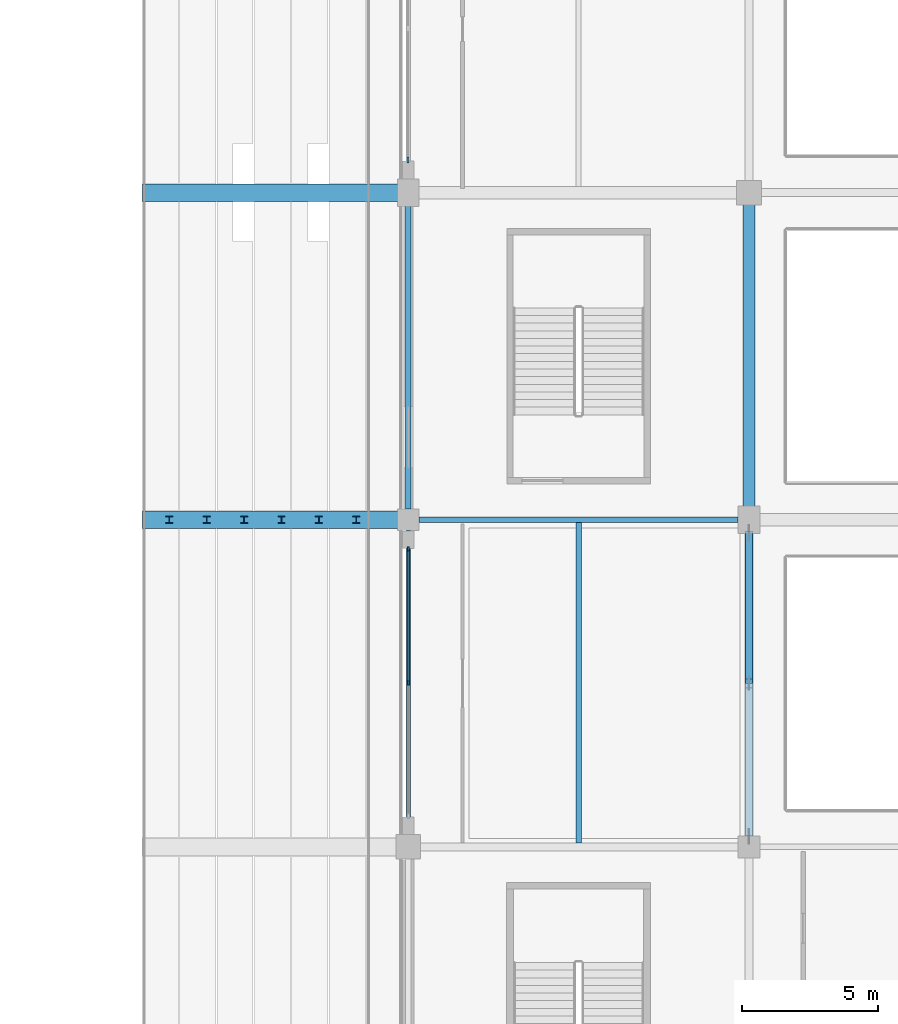
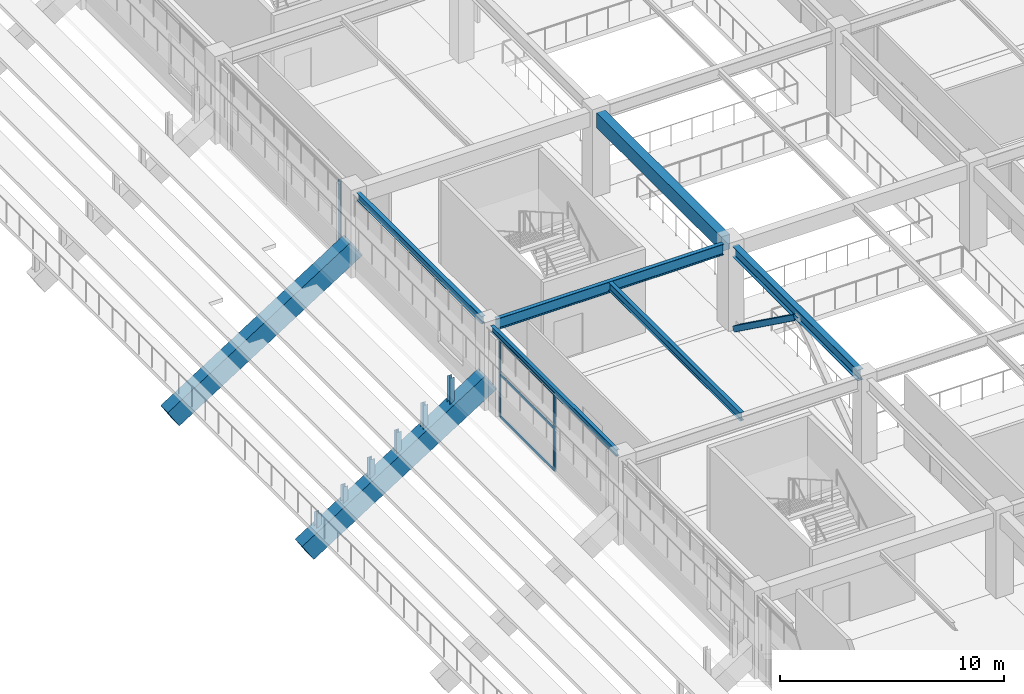
# One storey, part 40 of 134: 13 members, 8 beams, 2 elements without a shape of their own.
"""IFC4 building model written with IfcOpenShell, lengths in metres."""

import ifcopenshell
import ifcopenshell.guid

model = None  # the IFC model being written
_history = None  # IfcOwnerHistory: only IFC2X3 demands one
_inside = {}  # id of a spatial element -> (the spatial element, [elements in it])
_under = {}  # id of a project, library or spatial element -> (it, [spatial elements below it])
_declared = {}  # id of a project -> (the project, [libraries it declares])
_typed = {}  # id of a type object -> (the type object, [elements of that type])
_made_of = {}  # id of a material, layer set ... -> (it, [elements and type objects made of it])


def new_model(schema):
    """Start an empty IFC model of exactly this schema.

    Asked for "IFC4X3", IfcOpenShell would pick the latest addendum, in which some entities
    have other attributes; the version numbers below select the first issue.
    IFC2X3 requires an IfcOwnerHistory on every rooted entity: one is made here for all.
    """
    global model, _history
    if schema == "IFC4X3":
        model = ifcopenshell.file(schema_version=(4, 3, 0, 0))
    else:
        model = ifcopenshell.file(schema=schema)
    _inside.clear()
    _under.clear()
    _declared.clear()
    _typed.clear()
    _made_of.clear()
    _history = None
    if model.schema == "IFC2X3":
        org = make("IfcOrganization", Name="unknown")
        user = make(
            "IfcPersonAndOrganization",
            ThePerson=make("IfcPerson", FamilyName="unknown"),
            TheOrganization=org,
        )
        app = make(
            "IfcApplication",
            ApplicationDeveloper=org,
            Version="unknown",
            ApplicationFullName="unknown",
            ApplicationIdentifier="unknown",
        )
        _history = make(
            "IfcOwnerHistory",
            OwningUser=user,
            OwningApplication=app,
            ChangeAction="ADDED",
            CreationDate=0,
        )
    return model


def make(cls, **values):
    """One entity of the class cls with the attributes given. An attribute that is None is left unset."""
    return model.create_entity(
        cls, **{name: value for name, value in values.items() if value is not None}
    )


def rooted(cls, **values):
    """An entity with a GlobalId (a new one), such as an element, a storey or a relation."""
    return make(cls, GlobalId=ifcopenshell.guid.new(), OwnerHistory=_history, **values)


def si_unit(unit_type, name, prefix=None):
    """IfcSIUnit, for example si_unit("LENGTHUNIT", "METRE", prefix="MILLI")."""
    return make("IfcSIUnit", UnitType=unit_type, Prefix=prefix, Name=name)


def assignment(units):
    """IfcUnitAssignment: the units of a project."""
    return None if units is None else make("IfcUnitAssignment", Units=units)


def point(xyz):
    """IfcCartesianPoint."""
    return None if xyz is None else make("IfcCartesianPoint", Coordinates=xyz)


def direction(xyz):
    """IfcDirection."""
    return None if xyz is None else make("IfcDirection", DirectionRatios=xyz)


def frame(location, z_axis=None, x_axis=None):
    """IfcAxis2Placement3D, a coordinate frame: its origin and axes. An axis left out is left unset."""
    return make(
        "IfcAxis2Placement3D",
        Location=point(location),
        Axis=direction(z_axis),
        RefDirection=direction(x_axis),
    )


def frame_2d(location, x_axis=None):
    """IfcAxis2Placement2D, a coordinate frame in the plane: its origin and x axis."""
    return make(
        "IfcAxis2Placement2D", Location=point(location), RefDirection=direction(x_axis)
    )


def origin():
    """The frame at (0, 0, 0) with its axes left unset."""
    return frame((0.0, 0.0, 0.0))


def origin_2d():
    """The frame at (0, 0) in the plane with its x axis left unset."""
    return frame_2d((0.0, 0.0))


def place(relative_to, where):
    """IfcLocalPlacement: puts the frame where relative to a parent placement (None: the world)."""
    return make(
        "IfcLocalPlacement", PlacementRelTo=relative_to, RelativePlacement=where
    )


def context(
    kind, dimensions, precision=None, world=None, true_north=None, identifier=None
):
    """IfcGeometricRepresentationContext, for example the 3D "Model" context."""
    return make(
        "IfcGeometricRepresentationContext",
        ContextIdentifier=identifier,
        ContextType=kind,
        CoordinateSpaceDimension=dimensions,
        Precision=precision,
        WorldCoordinateSystem=world,
        TrueNorth=true_north,
    )


def subcontext(parent, identifier, kind, view, scale=None):
    """IfcGeometricRepresentationSubContext, for example "Body" below "Model"."""
    return make(
        "IfcGeometricRepresentationSubContext",
        ContextIdentifier=identifier,
        ContextType=kind,
        ParentContext=parent,
        TargetScale=scale,
        TargetView=view,
    )


def project(units=None, contexts=None):
    """IfcProject with its units and contexts."""
    return rooted(
        "IfcProject",
        Name="project",
        RepresentationContexts=contexts,
        UnitsInContext=assignment(units),
    )


def spatial(cls, under=None, at=None, **own):
    """A site, building, storey or space (cls), placed at a placement, below another one or the project."""
    s = rooted(cls, ObjectPlacement=at, **own)
    if under is not None:
        _under.setdefault(under.id(), (under, []))[1].append(s)
    return s


def profile(cls, at=None, kind="AREA", **sizes):
    """A parametric profile (cls). Its sizes go by their IFC names, for example OverallWidth=200.0."""
    return make(cls, ProfileType=kind, Position=at, **sizes)


def rectangle(**sizes):
    """IfcRectangleProfileDef."""
    return profile("IfcRectangleProfileDef", **sizes)


def hollow_rectangle(**sizes):
    """IfcRectangleHollowProfileDef."""
    return profile("IfcRectangleHollowProfileDef", **sizes)


def i_section(**sizes):
    """IfcIShapeProfileDef."""
    return profile("IfcIShapeProfileDef", **sizes)


def extrude(swept, where, along, depth):
    """IfcExtrudedAreaSolid: the profile swept, set in the frame where, extruded along a direction by depth."""
    return make(
        "IfcExtrudedAreaSolid",
        SweptArea=swept,
        Position=where,
        ExtrudedDirection=direction(along),
        Depth=depth,
    )


def shape(context_of_items, identifier, shape_type, items):
    """IfcShapeRepresentation: the items that make up one representation, for example the "Body"."""
    return make(
        "IfcShapeRepresentation",
        ContextOfItems=context_of_items,
        RepresentationIdentifier=identifier,
        RepresentationType=shape_type,
        Items=items,
    )


def material(Name=None, Category=None):
    """IfcMaterial."""
    return make("IfcMaterial", Name=Name, Category=Category)


def layer(
    of_material, thickness, ventilated=None, Name=None, Category=None, Priority=None
):
    """IfcMaterialLayer: one layer of a wall or slab, of a material (None: an air gap)."""
    return make(
        "IfcMaterialLayer",
        Material=of_material,
        LayerThickness=thickness,
        IsVentilated=ventilated,
        Name=Name,
        Category=Category,
        Priority=Priority,
    )


def layer_set(layers, Name=None):
    """IfcMaterialLayerSet."""
    return make("IfcMaterialLayerSet", MaterialLayers=layers, LayerSetName=Name)


def material_profile(
    of_material, cross_section, Name=None, Category=None, Priority=None
):
    """IfcMaterialProfile: a cross section and its material."""
    return make(
        "IfcMaterialProfile",
        Name=Name,
        Material=of_material,
        Profile=cross_section,
        Priority=Priority,
        Category=Category,
    )


def profile_set(profiles, Name=None, composite=None):
    """IfcMaterialProfileSet."""
    return make(
        "IfcMaterialProfileSet",
        Name=Name,
        MaterialProfiles=profiles,
        CompositeProfile=composite,
    )


def made_of(thing, what):
    """Note that an element or type object is made of a material, layer set ...; save() writes the relation."""
    if what is not None:
        _made_of.setdefault(what.id(), (what, []))[1].append(thing)
    return thing


def type_object(cls, material=None, **own):
    """A type object (cls), such as IfcWallType, which elements share."""
    return made_of(rooted(cls, **own), material)


def element(
    cls,
    number,
    at=None,
    inside=None,
    cuts=None,
    type_object=None,
    material=None,
    context=None,
    identifier="Body",
    shape_type=None,
    held_by="IfcProductDefinitionShape",
    body=None,
    shapes=None,
    **own,
):
    """One element of the class cls, such as IfcWall. Its Tag is "e" and its number.

    at: its placement. inside: the storey or other place that contains it. cuts: it is an
    opening in that element (IfcRelVoidsElement). A single representation is given by context,
    identifier, shape_type and body (its items); several are given by shapes. held_by: the class
    of the entity that holds the representations. save() writes the other relations.
    """
    e = rooted(cls, Tag="e%d" % number, ObjectPlacement=at, **own)
    if body is not None:
        shapes = [shape(context, identifier, shape_type, body)]
    if shapes is not None:
        e.Representation = make(held_by, Representations=shapes)
    if inside is not None:
        _inside.setdefault(inside.id(), (inside, []))[1].append(e)
    if cuts is not None:
        rooted(
            "IfcRelVoidsElement", RelatingBuildingElement=cuts, RelatedOpeningElement=e
        )
    if type_object is not None:
        _typed.setdefault(type_object.id(), (type_object, []))[1].append(e)
    return made_of(e, material)


def aggregate(whole, parts):
    """IfcRelAggregates: a whole, such as a stair, and the parts it consists of."""
    return rooted("IfcRelAggregates", RelatingObject=whole, RelatedObjects=parts)


def save(model, path):
    """Write the relations noted so far, then the file.

    IfcRelAggregates (storeys below a building ...), IfcRelContainedInSpatialStructure (elements
    in a storey), IfcRelDefinesByType, IfcRelAssociatesMaterial and IfcRelDeclares: one each for
    every whole, place, type object, material and project.
    """
    for whole, parts in _under.values():
        aggregate(whole, parts)
    for where, things in _inside.values():
        rooted(
            "IfcRelContainedInSpatialStructure",
            RelatedElements=things,
            RelatingStructure=where,
        )
    for kind, things in _typed.values():
        rooted("IfcRelDefinesByType", RelatedObjects=things, RelatingType=kind)
    for what, things in _made_of.values():
        rooted("IfcRelAssociatesMaterial", RelatedObjects=things, RelatingMaterial=what)
    for by, libraries in _declared.values():
        rooted("IfcRelDeclares", RelatingContext=by, RelatedDefinitions=libraries)
    model.write(path)


model = new_model("IFC4")

# Units and contexts
model_context = context("Model", 3, precision=1e-05, world=origin(), true_north=direction((0.0, 1.0)))
body_context = subcontext(model_context, "Body", "Model", "MODEL_VIEW")
ifc_project = project(units=[si_unit("LENGTHUNIT", "METRE"), si_unit("AREAUNIT", "SQUARE_METRE"), si_unit("VOLUMEUNIT", "CUBIC_METRE"), si_unit("PLANEANGLEUNIT", "RADIAN"), si_unit("MASSUNIT", "GRAM", prefix="KILO")], contexts=[model_context])

# Site, building, storey
site_placement = place(None, origin())
site = spatial("IfcSite", under=ifc_project, at=site_placement, CompositionType="ELEMENT")
building_placement = place(site_placement, origin())
building = spatial("IfcBuilding", under=site, at=building_placement, Name="Kazenohara Klinker Stadium", CompositionType="ELEMENT")
storey_placement = place(building_placement, frame((0.0, 0.0, 5.39990234375)))
storey = spatial("IfcBuildingStorey", under=building, at=storey_placement, Name="L01", CompositionType="ELEMENT", Elevation=5.39990234375)

# Beams
ifc_material_1 = material(Name="Steel S355", Category="steel")
ifc_material_profile_1 = material_profile(ifc_material_1, i_section(OverallWidth=0.199951171875, OverallDepth=0.449951171875, WebThickness=0.009033203125, FlangeThickness=0.013916015625, FilletRadius=0.012939453125, at=origin_2d()), Name="H-450x200x9x14")
ifc_profile_set_1 = profile_set([ifc_material_profile_1], Name="Steel S355")
beam_type_1 = type_object("IfcBeamType", Name="BM-JST02", PredefinedType="JOIST", material=ifc_profile_set_1)
beam_1_placement = place(storey_placement, frame((181.25, 60.14990234375, 4.3251953125), z_axis=(0.0, 1.0, 0.0), x_axis=(-1.0, 0.0, 0.0)))
element("IfcBeam", 1, at=beam_1_placement, inside=storey, type_object=beam_type_1, Name="Secondary floor joist SJ02 L01 15/F", PredefinedType="JOIST", context=body_context, shape_type="SweptSolid", body=[
    extrude(i_section(OverallWidth=0.199951171875, OverallDepth=0.449951171875, WebThickness=0.009033203125, FlangeThickness=0.013916015625, FilletRadius=0.012939453125, at=origin_2d()), origin(), (0.0, 0.0, 1.0), 11.75),
])
ifc_material_2 = material(Name="Concrete C40/50", Category="concrete")
ifc_material_profile_2 = material_profile(ifc_material_2, rectangle(XDim=0.449951171875, YDim=0.800048828125, at=origin_2d()), Name="RC-BM-450x800")
ifc_profile_set_2 = profile_set([ifc_material_profile_2], Name="Concrete C40/50")
beam_type_2 = type_object("IfcBeamType", Name="BM-RC03", PredefinedType="BEAM", material=ifc_profile_set_2)
beam_2_placement = place(storey_placement, frame((187.5, 72.419921875, 4.150146484375), z_axis=(0.0, 1.0, 0.0), x_axis=(-1.0, 0.0, 0.0)))
element("IfcBeam", 2, at=beam_2_placement, inside=storey, type_object=beam_type_2, Name="Primary girder BG03 L01 16/G-H", PredefinedType="BEAM", context=body_context, shape_type="SweptSolid", body=[
    extrude(rectangle(XDim=0.449951171875, YDim=0.800048828125, at=origin_2d()), origin(), (0.0, 0.0, 1.0), 11.16015625),
])
ifc_material_profile_3 = material_profile(ifc_material_1, i_section(OverallWidth=0.199951171875, OverallDepth=0.39990234375, WebThickness=0.008056640625, FlangeThickness=0.012939453125, FilletRadius=0.012939453125, at=origin_2d()), Name="H-400x200x8x13")
ifc_profile_set_3 = profile_set([ifc_material_profile_3], Name="Steel S355")
beam_type_3 = type_object("IfcBeamType", Name="BM-SPD01", PredefinedType="SPANDREL", material=ifc_profile_set_3)
beam_3_placement = place(storey_placement, frame((175.0, 72.39990234375, 4.35009765625), z_axis=(0.0, 1.0, 0.0), x_axis=(-1.0, 0.0, 0.0)))
element("IfcBeam", 3, at=beam_3_placement, inside=storey, type_object=beam_type_3, Name="Primary girder SP01 L01 15/G-H", PredefinedType="SPANDREL", context=body_context, shape_type="SweptSolid", body=[
    extrude(i_section(OverallWidth=0.199951171875, OverallDepth=0.39990234375, WebThickness=0.008056640625, FlangeThickness=0.012939453125, FilletRadius=0.012939453125, at=origin_2d()), origin(), (0.0, 0.0, 1.0), 11.18017578125),
])
ifc_material_profile_4 = material_profile(ifc_material_1, i_section(OverallWidth=0.175048828125, OverallDepth=0.35009765625, WebThickness=0.007080078125, FlangeThickness=0.010986328125, FilletRadius=0.012939453125, at=origin_2d()), Name="H-350x175x7x11")
ifc_profile_set_4 = profile_set([ifc_material_profile_4], Name="Steel S355")
beam_type_4 = type_object("IfcBeamType", Name="BM-SPD02", PredefinedType="SPANDREL", material=ifc_profile_set_4)
beam_4_placement = place(storey_placement, frame((175.0, 60.419921875, 4.375), z_axis=(0.0, 1.0, 0.0), x_axis=(-1.0, 0.0, 0.0)))
element("IfcBeam", 4, at=beam_4_placement, inside=storey, type_object=beam_type_4, Name="Primary girder SP02 L01 15/F-G", PredefinedType="SPANDREL", context=body_context, shape_type="SweptSolid", body=[
    extrude(i_section(OverallWidth=0.175048828125, OverallDepth=0.35009765625, WebThickness=0.007080078125, FlangeThickness=0.010986328125, FilletRadius=0.012939453125, at=origin_2d()), origin(), (0.0, 0.0, 1.0), 11.18017578125),
])
ifc_material_profile_5 = material_profile(ifc_material_1, i_section(OverallWidth=0.199951171875, OverallDepth=0.60009765625, WebThickness=0.010986328125, FlangeThickness=0.01708984375, FilletRadius=0.012939453125, at=origin_2d()), Name="H-600x200x11x17")
ifc_profile_set_5 = profile_set([ifc_material_profile_5], Name="Steel S355")
beam_type_5 = type_object("IfcBeamType", Name="BM-ST04", PredefinedType="BEAM", material=ifc_profile_set_5)
beam_5_placement = place(storey_placement, frame((175.39990234375, 72.0, 4.25), z_axis=(1.0, 0.0, 0.0), x_axis=(0.0, 1.0, 0.0)))
element("IfcBeam", 5, at=beam_5_placement, inside=storey, type_object=beam_type_5, Name="Primary girder SB04 L01 15-16/G", PredefinedType="BEAM", context=body_context, shape_type="SweptSolid", body=[
    extrude(i_section(OverallWidth=0.199951171875, OverallDepth=0.60009765625, WebThickness=0.010986328125, FlangeThickness=0.01708984375, FilletRadius=0.012939453125, at=origin_2d()), origin(), (0.0, 0.0, 1.0), 11.7001953125),
])
ifc_material_profile_6 = material_profile(ifc_material_1, i_section(OverallWidth=0.300048828125, OverallDepth=0.587890625, WebThickness=0.011962890625, FlangeThickness=0.02001953125, FilletRadius=0.02197265625, at=origin_2d()), Name="H-588x300x12x20")
ifc_profile_set_6 = profile_set([ifc_material_profile_6], Name="Steel S355")
beam_type_6 = type_object("IfcBeamType", Name="BM-ST05", PredefinedType="BEAM", material=ifc_profile_set_6)
beam_6_placement = place(storey_placement, frame((187.5, 60.39990234375, 4.256103515625), z_axis=(0.0, 1.0, 0.0), x_axis=(-1.0, 0.0, 0.0)))
element("IfcBeam", 6, at=beam_6_placement, inside=storey, type_object=beam_type_6, Name="Primary girder SB05 L01 16/F-G", PredefinedType="BEAM", context=body_context, shape_type="SweptSolid", body=[
    extrude(i_section(OverallWidth=0.300048828125, OverallDepth=0.587890625, WebThickness=0.011962890625, FlangeThickness=0.02001953125, FilletRadius=0.02197265625, at=origin_2d()), origin(), (0.0, 0.0, 1.0), 11.18017578125),
])

# Curtain wall, members
ifc_material_3 = material(Name="Anodised aluminium and triple glazing", Category="aluminium")
ifc_layer_1 = layer(ifc_material_3, 0.18994140625)
ifc_layer_set_1 = layer_set([ifc_layer_1], Name="Anodised aluminium and triple glazing")
curtain_wall_type_1 = type_object("IfcCurtainWallType", Name="CW-SYS-05", PredefinedType="USERDEFINED", material=ifc_layer_set_1)
curtain_wall_1_placement = place(storey_placement, origin())
curtain_wall_1 = element("IfcCurtainWall", 7, at=curtain_wall_1_placement, inside=storey, type_object=curtain_wall_type_1, Name="Unitised facade curtain wall CW05 L01 Y14-5", ObjectType="UNITISED CURTAIN WALL", PredefinedType="USERDEFINED")
ifc_material_4 = material(Name="Anodised aluminium 6063-T6", Category="aluminium")
ifc_material_profile_7 = material_profile(ifc_material_4, rectangle(XDim=0.06494140625, YDim=0.179931640625, at=origin_2d()), Name="ALU-MUL-65x180")
ifc_profile_set_7 = profile_set([ifc_material_profile_7], Name="Anodised aluminium 6063-T6")
member_type_1 = type_object("IfcMemberType", Name="CW-MUL-180", PredefinedType="MULLION", material=ifc_profile_set_7)
member_1_placement = place(storey_placement, frame((175.0, 66.02490234375, 0.0), z_axis=(0.0, 0.0, 1.0), x_axis=(-1.0, 0.0, 0.0)))
member_1 = element("IfcMember", 8, at=member_1_placement, type_object=member_type_1, Name="CW05 mullion 2", PredefinedType="MULLION", context=body_context, shape_type="SweptSolid", body=[
    extrude(rectangle(XDim=0.06494140625, YDim=0.179931640625, at=origin_2d()), origin(), (0.0, 0.0, 1.0), 4.2001953125),
])
member_2_placement = place(storey_placement, frame((175.0, 70.91357421875, 0.0), z_axis=(0.0, 0.0, 1.0), x_axis=(-1.0, 0.0, 0.0)))
member_2 = element("IfcMember", 9, at=member_2_placement, type_object=member_type_1, Name="CW05 mullion 3", PredefinedType="MULLION", context=body_context, shape_type="SweptSolid", body=[
    extrude(rectangle(XDim=0.06494140625, YDim=0.179931640625, at=origin_2d()), origin(), (0.0, 0.0, 1.0), 4.2001953125),
])

# Curtain wall, member
ifc_layer_2 = layer(ifc_material_3, 0.159912109375)
ifc_layer_set_2 = layer_set([ifc_layer_2], Name="Anodised aluminium and triple glazing")
curtain_wall_type_2 = type_object("IfcCurtainWallType", Name="CW-SYS-01", PredefinedType="USERDEFINED", material=ifc_layer_set_2)
curtain_wall_2_placement = place(storey_placement, origin())
curtain_wall_2 = element("IfcCurtainWall", 10, at=curtain_wall_2_placement, inside=storey, type_object=curtain_wall_type_2, Name="Unitised facade curtain wall CW01 L01 Y14-7", ObjectType="UNITISED CURTAIN WALL", PredefinedType="USERDEFINED")
ifc_material_profile_8 = material_profile(ifc_material_4, rectangle(XDim=0.074951171875, YDim=0.219970703125, at=origin_2d()), Name="ALU-MUL-75x220")
ifc_profile_set_8 = profile_set([ifc_material_profile_8], Name="Anodised aluminium 6063-T6")
member_type_2 = type_object("IfcMemberType", Name="CW-MUL-220", PredefinedType="MULLION", material=ifc_profile_set_8)
member_3_placement = place(storey_placement, frame((175.0, 85.19140625, 0.0), z_axis=(0.0, 0.0, 1.0), x_axis=(-1.0, 0.0, 0.0)))
member_3 = element("IfcMember", 11, at=member_3_placement, type_object=member_type_2, Name="CW01 mullion 1", PredefinedType="MULLION", context=body_context, shape_type="SweptSolid", body=[
    extrude(rectangle(XDim=0.074951171875, YDim=0.219970703125, at=origin_2d()), origin(), (0.0, 0.0, 1.0), 4.2001953125),
])
aggregate(curtain_wall_2, [member_3])

# Member
ifc_material_profile_9 = material_profile(ifc_material_4, rectangle(XDim=0.06494140625, YDim=0.139892578125, at=origin_2d()), Name="ALU-TRN-65x140")
ifc_profile_set_9 = profile_set([ifc_material_profile_9], Name="Anodised aluminium 6063-T6")
member_type_3 = type_object("IfcMemberType", Name="CW-TRN-140", PredefinedType="USERDEFINED", material=ifc_profile_set_9)
member_4_placement = place(storey_placement, frame((175.0, 66.0576171875, 0.03271484375), z_axis=(0.0, 1.0, 0.0), x_axis=(-1.0, 0.0, 0.0)))
member_4 = element("IfcMember", 12, at=member_4_placement, type_object=member_type_3, Name="CW05 transom 2.1", ObjectType="TRANSOM", PredefinedType="USERDEFINED", context=body_context, shape_type="SweptSolid", body=[
    extrude(rectangle(XDim=0.06494140625, YDim=0.139892578125, at=origin_2d()), origin(), (0.0, 0.0, 1.0), 4.823486328125),
])

member_5_placement = place(storey_placement, frame((175.0, 66.0576171875, 2.31005859375), z_axis=(0.0, 1.0, 0.0), x_axis=(-1.0, 0.0, 0.0)))
member_5 = element("IfcMember", 13, at=member_5_placement, type_object=member_type_3, Name="CW05 transom 2.2", ObjectType="TRANSOM", PredefinedType="USERDEFINED", context=body_context, shape_type="SweptSolid", body=[
    extrude(rectangle(XDim=0.06494140625, YDim=0.139892578125, at=origin_2d()), origin(), (0.0, 0.0, 1.0), 4.823486328125),
])

member_6_placement = place(storey_placement, frame((175.0, 66.0576171875, 4.16748046875), z_axis=(0.0, 1.0, 0.0), x_axis=(-1.0, 0.0, 0.0)))
member_6 = element("IfcMember", 14, at=member_6_placement, type_object=member_type_3, Name="CW05 transom 2.3", ObjectType="TRANSOM", PredefinedType="USERDEFINED", context=body_context, shape_type="SweptSolid", body=[
    extrude(rectangle(XDim=0.06494140625, YDim=0.139892578125, at=origin_2d()), origin(), (0.0, 0.0, 1.0), 4.823486328125),
])

aggregate(curtain_wall_1, [member_1, member_2, member_4, member_5, member_6])

# Members
ifc_material_profile_10 = material_profile(ifc_material_1, hollow_rectangle(XDim=0.300048828125, YDim=0.300048828125, WallThickness=0.011962890625, InnerFilletRadius=0.011962890625, OuterFilletRadius=0.02392578125, at=origin_2d()), Name="SHS-300x300x12")
ifc_profile_set_10 = profile_set([ifc_material_profile_10], Name="Steel S355")
member_type_4 = type_object("IfcMemberType", Name="MEM-BRC06", PredefinedType="BRACE", material=ifc_profile_set_10)
member_7_placement = place(storey_placement, frame((187.5, 71.52001953125, 0.050048828125), z_axis=(0.0, -0.810447060883, 0.585811882353), x_axis=(1.0, 0.0, 0.0)))
element("IfcMember", 15, at=member_7_placement, inside=storey, type_object=member_type_4, Name="Concentric brace BR06 L01 16/F B", PredefinedType="BRACE", context=body_context, shape_type="SweptSolid", body=[
    extrude(hollow_rectangle(XDim=0.300048828125, YDim=0.300048828125, WallThickness=0.011962890625, InnerFilletRadius=0.011962890625, OuterFilletRadius=0.02392578125, at=origin_2d()), origin(), (0.0, 0.0, 1.0), 6.712158203125),
])
ifc_material_profile_11 = material_profile(ifc_material_1, i_section(OverallWidth=0.25, OverallDepth=0.25, WebThickness=0.009033203125, FlangeThickness=0.013916015625, FilletRadius=0.012939453125, at=origin_2d()), Name="H-250x250x9x14")
ifc_profile_set_11 = profile_set([ifc_material_profile_11], Name="Steel S355")
member_type_5 = type_object("IfcMemberType", Name="MEM-STR02", PredefinedType="STRUT", material=ifc_profile_set_11)
member_8_placement = place(storey_placement, frame((173.095703125, 72.0, 0.407470703125), z_axis=(0.0, 0.0, 1.0), x_axis=(1.0, 0.0, 0.0)))
element("IfcMember", 16, at=member_8_placement, inside=storey, type_object=member_type_5, Name="Precast tier riser stool LOWER-E-02-06", PredefinedType="STRUT", context=body_context, shape_type="SweptSolid", body=[
    extrude(i_section(OverallWidth=0.25, OverallDepth=0.25, WebThickness=0.009033203125, FlangeThickness=0.013916015625, FilletRadius=0.012939453125, at=origin_2d()), origin(), (0.0, 0.0, 1.0), 1.78271484375),
])
member_9_placement = place(storey_placement, frame((171.724365234375, 72.0, -0.463134765625), z_axis=(0.0, 0.0, 1.0), x_axis=(1.0, 0.0, 0.0)))
element("IfcMember", 17, at=member_9_placement, inside=storey, type_object=member_type_5, Name="Precast tier riser stool LOWER-E-03-06", PredefinedType="STRUT", context=body_context, shape_type="SweptSolid", body=[
    extrude(i_section(OverallWidth=0.25, OverallDepth=0.25, WebThickness=0.009033203125, FlangeThickness=0.013916015625, FilletRadius=0.012939453125, at=origin_2d()), origin(), (0.0, 0.0, 1.0), 1.6533203125),
])
member_10_placement = place(storey_placement, frame((170.352783203125, 72.0, -1.333984375), z_axis=(0.0, 0.0, 1.0), x_axis=(1.0, 0.0, 0.0)))
element("IfcMember", 18, at=member_10_placement, inside=storey, type_object=member_type_5, Name="Precast tier riser stool LOWER-E-04-06", PredefinedType="STRUT", context=body_context, shape_type="SweptSolid", body=[
    extrude(i_section(OverallWidth=0.25, OverallDepth=0.25, WebThickness=0.009033203125, FlangeThickness=0.013916015625, FilletRadius=0.012939453125, at=origin_2d()), origin(), (0.0, 0.0, 1.0), 1.524169921875),
])
member_11_placement = place(storey_placement, frame((168.9814453125, 72.0, -2.20458984375), z_axis=(0.0, 0.0, 1.0), x_axis=(1.0, 0.0, 0.0)))
element("IfcMember", 19, at=member_11_placement, inside=storey, type_object=member_type_5, Name="Precast tier riser stool LOWER-E-05-06", PredefinedType="STRUT", context=body_context, shape_type="SweptSolid", body=[
    extrude(i_section(OverallWidth=0.25, OverallDepth=0.25, WebThickness=0.009033203125, FlangeThickness=0.013916015625, FilletRadius=0.012939453125, at=origin_2d()), origin(), (0.0, 0.0, 1.0), 1.394775390625),
])
member_12_placement = place(storey_placement, frame((167.610107421875, 72.0, -3.075439453125), z_axis=(0.0, 0.0, 1.0), x_axis=(1.0, 0.0, 0.0)))
element("IfcMember", 20, at=member_12_placement, inside=storey, type_object=member_type_5, Name="Precast tier riser stool LOWER-E-06-06", PredefinedType="STRUT", context=body_context, shape_type="SweptSolid", body=[
    extrude(i_section(OverallWidth=0.25, OverallDepth=0.25, WebThickness=0.009033203125, FlangeThickness=0.013916015625, FilletRadius=0.012939453125, at=origin_2d()), origin(), (0.0, 0.0, 1.0), 1.265625),
])
member_13_placement = place(storey_placement, frame((166.238525390625, 72.0, -3.9462890625), z_axis=(0.0, 0.0, 1.0), x_axis=(1.0, 0.0, 0.0)))
element("IfcMember", 21, at=member_13_placement, inside=storey, type_object=member_type_5, Name="Precast tier riser stool LOWER-E-07-06", PredefinedType="STRUT", context=body_context, shape_type="SweptSolid", body=[
    extrude(i_section(OverallWidth=0.25, OverallDepth=0.25, WebThickness=0.009033203125, FlangeThickness=0.013916015625, FilletRadius=0.012939453125, at=origin_2d()), origin(), (0.0, 0.0, 1.0), 1.136474609375),
])

# Beams
ifc_material_5 = material(Name="Precast concrete C50/60", Category="concrete")
ifc_material_profile_12 = material_profile(ifc_material_5, rectangle(XDim=0.64990234375, YDim=1.10009765625, at=origin_2d()), Name="PC-RAKER-650x1100")
ifc_profile_set_12 = profile_set([ifc_material_profile_12], Name="Precast concrete C50/60")
beam_type_7 = type_object("IfcBeamType", Name="RAKER-RK01", PredefinedType="USERDEFINED", material=ifc_profile_set_12)
for number, where, z_axis, x_axis, name in (
    (22, (175.0, 72.0, 1.401611328125), (-0.844211562005, 0.0, -0.536010110518), (0.0, -1.0, 0.0), "Precast bowl raker girder RK01 LOWER East G"),
    (23, (175.0, 84.0, 1.401611328125), (-0.844211562005, 0.0, -0.536010110518), (0.0, -1.0, 0.0), "Precast bowl raker girder RK01 LOWER East H"),
):
    element("IfcBeam", number, at=place(storey_placement, frame(where, z_axis=z_axis, x_axis=x_axis)), inside=storey, type_object=beam_type_7, Name=name, ObjectType="RAKER", PredefinedType="USERDEFINED", context=body_context, shape_type="SweptSolid", body=[
        extrude(rectangle(XDim=0.64990234375, YDim=1.10009765625, at=origin_2d()), origin(), (0.0, 0.0, 1.0), 11.19384765625),
    ])

save(model, "model.ifc")
